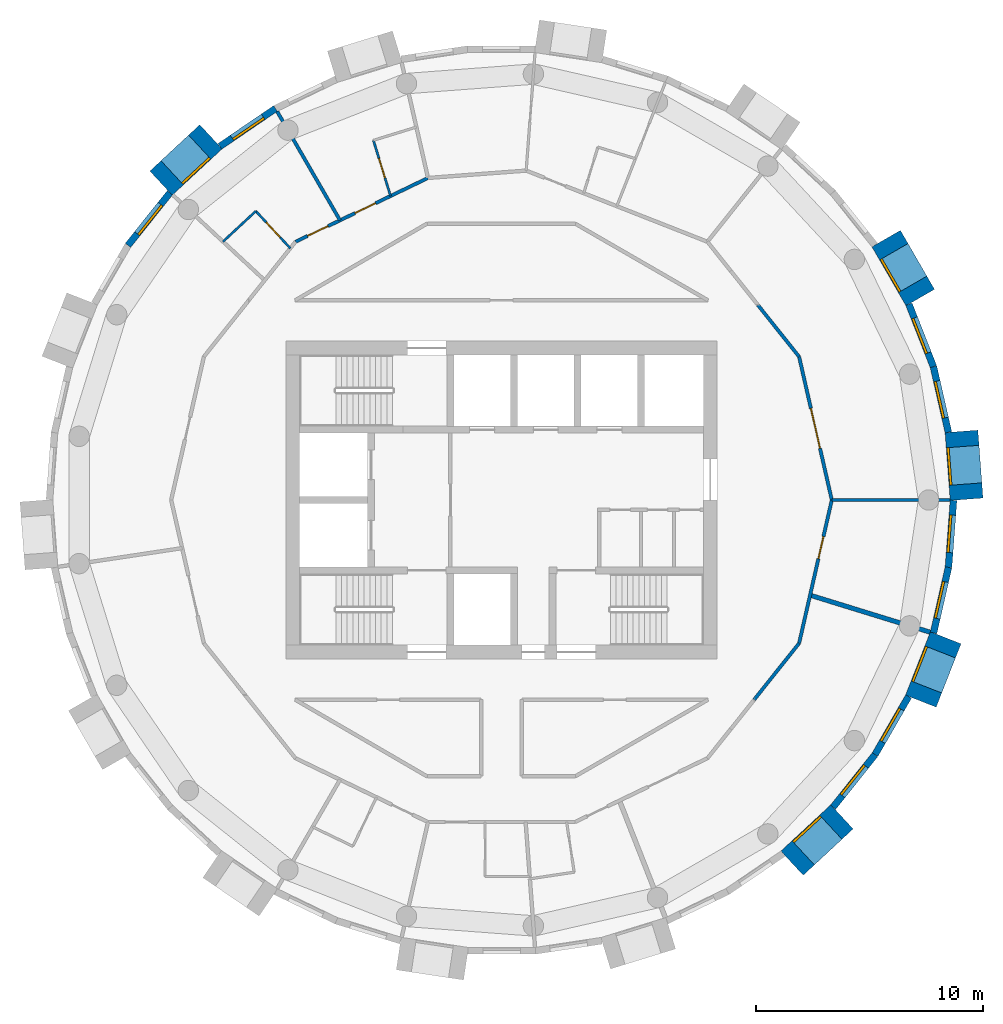
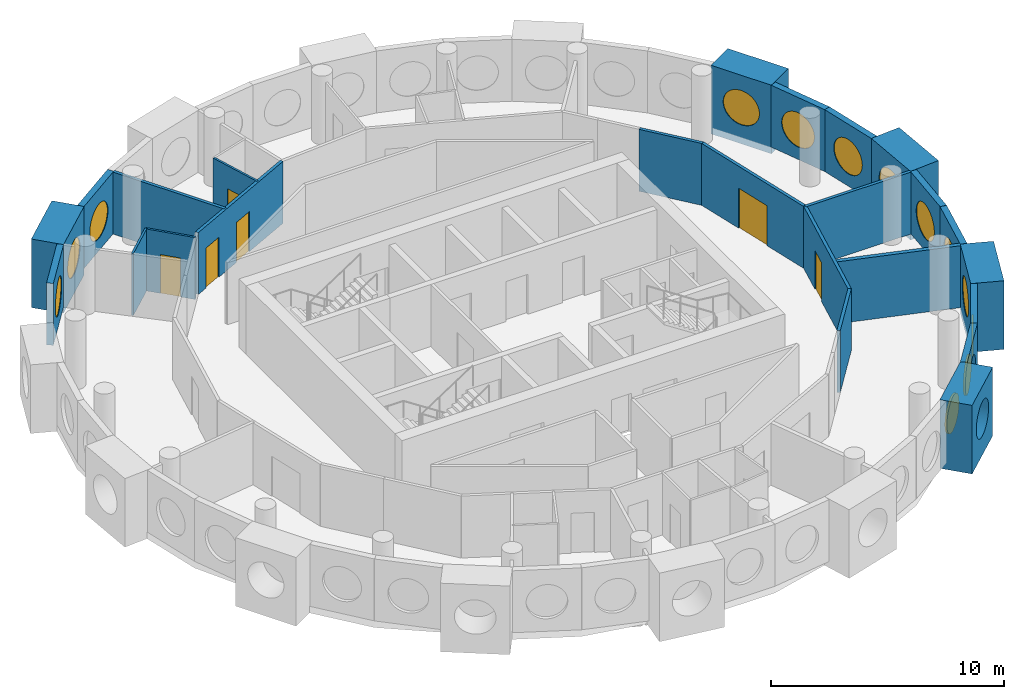
# One storey, part 10 of 13: 24 walls, 13 windows, 6 doors, 19 openings.
"""IFC4 building model written with IfcOpenShell, lengths in metres."""

from ifc_helpers import new_model, si_unit, direction, frame, frame_2d, origin, origin_2d, place, context, subcontext, project, spatial, rectangle, circle, extrude, material, layer, layer_set, type_object, element, fill, save


model = new_model("IFC4")

# Units and contexts
model_context = context("Model", 3, precision=1e-05, world=origin(), true_north=direction((0.0, 1.0)))
body_context = subcontext(model_context, "Body", "Model", "MODEL_VIEW")
ifc_project = project(units=[si_unit("LENGTHUNIT", "METRE"), si_unit("AREAUNIT", "SQUARE_METRE"), si_unit("VOLUMEUNIT", "CUBIC_METRE"), si_unit("PLANEANGLEUNIT", "RADIAN"), si_unit("MASSUNIT", "GRAM", prefix="KILO")], contexts=[model_context])

# Site, building, storey
site_placement = place(None, origin())
site = spatial("IfcSite", under=ifc_project, at=site_placement, CompositionType="ELEMENT")
building_placement = place(site_placement, origin())
building = spatial("IfcBuilding", under=site, at=building_placement, Name="Tracery Tower", CompositionType="ELEMENT")
storey_placement = place(building_placement, frame((0.0, 0.0, 319.800048828125)))
storey = spatial("IfcBuildingStorey", under=building, at=storey_placement, Name="L83", CompositionType="ELEMENT", Elevation=319.800048828125)

# Wall, opening, window
ifc_material_1 = material(Name="Precast concrete C50/60", Category="concrete")
ifc_layer_1 = layer(ifc_material_1, 1.449951171875)
ifc_layer_set_1 = layer_set([ifc_layer_1], Name="Deep-set bay unit 3000 x 3600, slab edge 350")
wall_type_1 = type_object("IfcWallType", Name="Deep-set bay unit 3000 x 3600, slab edge 350", PredefinedType="ELEMENTEDWALL", material=ifc_layer_set_1)
wall_1_placement = place(storey_placement, frame((20.49609375, 0.03173828125, -0.35009765625), z_axis=(0.0, 0.0, 1.0), x_axis=(-0.074785902127, 0.997199613339, 0.0)))
wall_1 = element("IfcWall", 1, at=wall_1_placement, inside=storey, type_object=wall_type_1, Name="Deep-set bay unit 1 at L83", PredefinedType="ELEMENTEDWALL", context=body_context, shape_type="SweptSolid", body=[
    extrude(rectangle(XDim=3.0, YDim=1.449951171875, at=frame_2d((1.5, 0.0))), origin(), (0.0, 0.0, 1.0), 3.60009765625),
])
opening_1_placement = place(wall_1_placement, frame((1.5, 0.0, 1.89990234375)))
opening_1 = element("IfcOpeningElement", 2, at=opening_1_placement, cuts=wall_1, Name="Opening WN1", PredefinedType="OPENING", context=body_context, shape_type="SweptSolid", body=[
    extrude(circle(Radius=0.9000244140625, at=origin_2d()), frame((0.0, 0.73486328125, 0.0), z_axis=(0.0, -1.0, 0.0), x_axis=(1.0, 0.0, 0.0)), (0.0, 0.0, 1.0), 1.469970703125),
])
ifc_material_2 = material(Name="Aluminium frame with tinted double glazing", Category="aluminium")
window_type = type_object("IfcWindowType", Name="Round window 1800", PartitioningType="SINGLE_PANEL", PredefinedType="WINDOW", material=ifc_material_2)
window_1_placement = place(opening_1_placement, origin())
window_1 = element("IfcWindow", 3, at=window_1_placement, inside=storey, type_object=window_type, Name="Round window 1 at L83", OverallHeight=1.800048828125, OverallWidth=1.800048828125, PartitioningType="SINGLE_PANEL", PredefinedType="WINDOW", context=body_context, shape_type="SweptSolid", body=[
    extrude(circle(Radius=0.9000244140625, at=origin_2d()), frame((0.0, 0.69482421875, 0.0), z_axis=(0.0, -1.0, 0.0), x_axis=(1.0, 0.0, 0.0)), (0.0, 0.0, 1.0), 0.10009765625),
])
fill(opening_1, window_1)

wall_2_placement = place(storey_placement, frame((18.452392578125, 8.92138671875, -0.35009765625), z_axis=(0.0, 0.0, 1.0), x_axis=(-0.499990139034, 0.866031096941, 0.0)))
wall_2 = element("IfcWall", 4, at=wall_2_placement, inside=storey, type_object=wall_type_1, Name="Deep-set bay unit 4 at L83", PredefinedType="ELEMENTEDWALL", context=body_context, shape_type="SweptSolid", body=[
    extrude(rectangle(XDim=3.0, YDim=1.449951171875, at=frame_2d((1.5, 0.0))), origin(), (0.0, 0.0, 1.0), 3.60009765625),
])
opening_2_placement = place(wall_2_placement, frame((1.5, 0.0, 1.89990234375)))
opening_2 = element("IfcOpeningElement", 5, at=opening_2_placement, cuts=wall_2, Name="Opening WN1", PredefinedType="OPENING", context=body_context, shape_type="SweptSolid", body=[
    extrude(circle(Radius=0.9000244140625, at=origin_2d()), frame((0.0, 0.73486328125, 0.0), z_axis=(0.0, -1.0, 0.0), x_axis=(1.0, 0.0, 0.0)), (0.0, 0.0, 1.0), 1.469970703125),
])
window_2_placement = place(opening_2_placement, origin())
window_2 = element("IfcWindow", 6, at=window_2_placement, inside=storey, type_object=window_type, Name="Round window 4 at L83", OverallHeight=1.800048828125, OverallWidth=1.800048828125, PartitioningType="SINGLE_PANEL", PredefinedType="WINDOW", context=body_context, shape_type="SweptSolid", body=[
    extrude(circle(Radius=0.9000244140625, at=origin_2d()), frame((0.0, 0.69482421875, 0.0), z_axis=(0.0, -1.0, 0.0), x_axis=(1.0, 0.0, 0.0)), (0.0, 0.0, 1.0), 0.10009765625),
])
fill(opening_2, window_2)

wall_3_placement = place(storey_placement, frame((-12.803955078125, 16.004638671875, -0.35009765625), z_axis=(0.0, 0.0, 1.0), x_axis=(-0.733022439167, -0.680204457261, 0.0)))
wall_3 = element("IfcWall", 7, at=wall_3_placement, inside=storey, type_object=wall_type_1, Name="Deep-set bay unit 16 at L83", PredefinedType="ELEMENTEDWALL", context=body_context, shape_type="SweptSolid", body=[
    extrude(rectangle(XDim=2.999755859375, YDim=1.449951171875, at=frame_2d((1.5, 0.0))), origin(), (0.0, 0.0, 1.0), 3.60009765625),
])
opening_3_placement = place(wall_3_placement, frame((1.5, 0.0, 1.89990234375)))
opening_3 = element("IfcOpeningElement", 8, at=opening_3_placement, cuts=wall_3, Name="Opening WN1", PredefinedType="OPENING", context=body_context, shape_type="SweptSolid", body=[
    extrude(circle(Radius=0.9000244140625, at=origin_2d()), frame((0.0, 0.73486328125, 0.0), z_axis=(0.0, -1.0, 0.0), x_axis=(1.0, 0.0, 0.0)), (0.0, 0.0, 1.0), 1.469970703125),
])
window_3_placement = place(opening_3_placement, origin())
window_3 = element("IfcWindow", 9, at=window_3_placement, inside=storey, type_object=window_type, Name="Round window 16 at L83", OverallHeight=1.800048828125, OverallWidth=1.800048828125, PartitioningType="SINGLE_PANEL", PredefinedType="WINDOW", context=body_context, shape_type="SweptSolid", body=[
    extrude(circle(Radius=0.9000244140625, at=origin_2d()), frame((0.0, 0.69482421875, 0.0), z_axis=(0.0, -1.0, 0.0), x_axis=(1.0, 0.0, 0.0)), (0.0, 0.0, 1.0), 0.10009765625),
])
fill(opening_3, window_3)

wall_4_placement = place(storey_placement, frame((12.803955078125, -16.004638671875, -0.35009765625), z_axis=(0.0, 0.0, 1.0), x_axis=(0.733022439167, 0.680204457261, 0.0)))
wall_4 = element("IfcWall", 10, at=wall_4_placement, inside=storey, type_object=wall_type_1, Name="Deep-set bay unit 37 at L83", PredefinedType="ELEMENTEDWALL", context=body_context, shape_type="SweptSolid", body=[
    extrude(rectangle(XDim=2.999755859375, YDim=1.449951171875, at=frame_2d((1.5, 0.0))), origin(), (0.0, 0.0, 1.0), 3.60009765625),
])
opening_4_placement = place(wall_4_placement, frame((1.5, 0.0, 1.89990234375)))
opening_4 = element("IfcOpeningElement", 11, at=opening_4_placement, cuts=wall_4, Name="Opening WN1", PredefinedType="OPENING", context=body_context, shape_type="SweptSolid", body=[
    extrude(circle(Radius=0.9000244140625, at=origin_2d()), frame((0.0, 0.73486328125, 0.0), z_axis=(0.0, -1.0, 0.0), x_axis=(1.0, 0.0, 0.0)), (0.0, 0.0, 1.0), 1.469970703125),
])
window_4_placement = place(opening_4_placement, origin())
window_4 = element("IfcWindow", 12, at=window_4_placement, inside=storey, type_object=window_type, Name="Round window 37 at L83", OverallHeight=1.800048828125, OverallWidth=1.800048828125, PartitioningType="SINGLE_PANEL", PredefinedType="WINDOW", context=body_context, shape_type="SweptSolid", body=[
    extrude(circle(Radius=0.9000244140625, at=origin_2d()), frame((0.0, 0.69482421875, 0.0), z_axis=(0.0, -1.0, 0.0), x_axis=(1.0, 0.0, 0.0)), (0.0, 0.0, 1.0), 0.10009765625),
])
fill(opening_4, window_4)

wall_5_placement = place(storey_placement, frame((18.47998046875, -8.8642578125, -0.35009765625), z_axis=(0.0, 0.0, 1.0), x_axis=(0.36537792632, 0.93085926485, 0.0)))
wall_5 = element("IfcWall", 13, at=wall_5_placement, inside=storey, type_object=wall_type_1, Name="Deep-set bay unit 40 at L83", PredefinedType="ELEMENTEDWALL", context=body_context, shape_type="SweptSolid", body=[
    extrude(rectangle(XDim=3.000244140625, YDim=1.449951171875, at=frame_2d((1.5, 0.0))), origin(), (0.0, 0.0, 1.0), 3.60009765625),
])
opening_5_placement = place(wall_5_placement, frame((1.5, 0.0, 1.89990234375)))
opening_5 = element("IfcOpeningElement", 14, at=opening_5_placement, cuts=wall_5, Name="Opening WN1", PredefinedType="OPENING", context=body_context, shape_type="SweptSolid", body=[
    extrude(circle(Radius=0.9000244140625, at=origin_2d()), frame((0.0, 0.73486328125, 0.0), z_axis=(0.0, -1.0, 0.0), x_axis=(1.0, 0.0, 0.0)), (0.0, 0.0, 1.0), 1.469970703125),
])
window_5_placement = place(opening_5_placement, origin())
window_5 = element("IfcWindow", 15, at=window_5_placement, inside=storey, type_object=window_type, Name="Round window 40 at L83", OverallHeight=1.800048828125, OverallWidth=1.800048828125, PartitioningType="SINGLE_PANEL", PredefinedType="WINDOW", context=body_context, shape_type="SweptSolid", body=[
    extrude(circle(Radius=0.9000244140625, at=origin_2d()), frame((0.0, 0.69482421875, 0.0), z_axis=(0.0, -1.0, 0.0), x_axis=(1.0, 0.0, 0.0)), (0.0, 0.0, 1.0), 0.10009765625),
])
fill(opening_5, window_5)

ifc_material_3 = material(Name="Precast concrete C50/60", Category="concrete")
ifc_layer_2 = layer(ifc_material_3, 0.300048828125)
ifc_layer_set_2 = layer_set([ifc_layer_2], Name="Facade panel 3000 x 3250")
wall_type_2 = type_object("IfcWallType", Name="Facade panel 3000 x 3250", PredefinedType="SOLIDWALL", material=ifc_layer_set_2)
wall_6_placement = place(storey_placement, frame((19.69580078125, 2.984130859375, 0.0), z_axis=(0.0, 0.0, 1.0), x_axis=(-0.222529389789, 0.974925982155, 0.0)))
wall_6 = element("IfcWall", 16, at=wall_6_placement, inside=storey, type_object=wall_type_2, Name="Facade panel 2 at L83", PredefinedType="SOLIDWALL", context=body_context, shape_type="SweptSolid", body=[
    extrude(rectangle(XDim=2.962158203125, YDim=0.300048828125, at=frame_2d((1.48095703125, 0.0))), origin(), (0.0, 0.0, 1.0), 3.25),
])
opening_6_placement = place(wall_6_placement, frame((1.48095703125, 0.0, 1.5498046875)))
opening_6 = element("IfcOpeningElement", 17, at=opening_6_placement, cuts=wall_6, Name="Opening WN1", PredefinedType="OPENING", context=body_context, shape_type="SweptSolid", body=[
    extrude(circle(Radius=0.9000244140625, at=origin_2d()), frame((0.0, 0.159912109375, 0.0), z_axis=(0.0, -1.0, 0.0), x_axis=(1.0, 0.0, 0.0)), (0.0, 0.0, 1.0), 0.320068359375),
])
window_6_placement = place(opening_6_placement, origin())
window_6 = element("IfcWindow", 18, at=window_6_placement, inside=storey, type_object=window_type, Name="Round window 2 at L83", OverallHeight=1.800048828125, OverallWidth=1.800048828125, PartitioningType="SINGLE_PANEL", PredefinedType="WINDOW", context=body_context, shape_type="SweptSolid", body=[
    extrude(circle(Radius=0.9000244140625, at=origin_2d()), frame((0.0, 0.1201171875, 0.0), z_axis=(0.0, -1.0, 0.0), x_axis=(1.0, 0.0, 0.0)), (0.0, 0.0, 1.0), 0.10009765625),
])
fill(opening_6, window_6)

wall_7_placement = place(storey_placement, frame((19.03662109375, 5.8720703125, 0.0), z_axis=(0.0, 0.0, 1.0), x_axis=(-0.36530043032, 0.930889679612, 0.0)))
wall_7 = element("IfcWall", 19, at=wall_7_placement, inside=storey, type_object=wall_type_2, Name="Facade panel 3 at L83", PredefinedType="SOLIDWALL", context=body_context, shape_type="SweptSolid", body=[
    extrude(rectangle(XDim=2.9619140625, YDim=0.300048828125, at=frame_2d((1.48095703125, 0.0))), origin(), (0.0, 0.0, 1.0), 3.25),
])
opening_7_placement = place(wall_7_placement, frame((1.48095703125, 0.0, 1.5498046875)))
opening_7 = element("IfcOpeningElement", 20, at=opening_7_placement, cuts=wall_7, Name="Opening WN1", PredefinedType="OPENING", context=body_context, shape_type="SweptSolid", body=[
    extrude(circle(Radius=0.9000244140625, at=origin_2d()), frame((0.0, 0.159912109375, 0.0), z_axis=(0.0, -1.0, 0.0), x_axis=(1.0, 0.0, 0.0)), (0.0, 0.0, 1.0), 0.320068359375),
])
window_7_placement = place(opening_7_placement, origin())
window_7 = element("IfcWindow", 21, at=window_7_placement, inside=storey, type_object=window_type, Name="Round window 3 at L83", OverallHeight=1.800048828125, OverallWidth=1.800048828125, PartitioningType="SINGLE_PANEL", PredefinedType="WINDOW", context=body_context, shape_type="SweptSolid", body=[
    extrude(circle(Radius=0.9000244140625, at=origin_2d()), frame((0.0, 0.1201171875, 0.0), z_axis=(0.0, -1.0, 0.0), x_axis=(1.0, 0.0, 0.0)), (0.0, 0.0, 1.0), 0.10009765625),
])
fill(opening_7, window_7)

wall_8_placement = place(storey_placement, frame((-9.9609375, 17.252685546875, 0.0), z_axis=(0.0, 0.0, 1.0), x_axis=(-0.826236061068, -0.563324037646, 0.0)))
wall_8 = element("IfcWall", 22, at=wall_8_placement, inside=storey, type_object=wall_type_2, Name="Facade panel 15 at L83", PredefinedType="SOLIDWALL", context=body_context, shape_type="SweptSolid", body=[
    extrude(rectangle(XDim=2.962158203125, YDim=0.300048828125, at=frame_2d((1.48095703125, 0.0))), origin(), (0.0, 0.0, 1.0), 3.25),
])
opening_8_placement = place(wall_8_placement, frame((1.48095703125, 0.0, 1.5498046875)))
opening_8 = element("IfcOpeningElement", 23, at=opening_8_placement, cuts=wall_8, Name="Opening WN1", PredefinedType="OPENING", context=body_context, shape_type="SweptSolid", body=[
    extrude(circle(Radius=0.9000244140625, at=origin_2d()), frame((0.0, 0.159912109375, 0.0), z_axis=(0.0, -1.0, 0.0), x_axis=(1.0, 0.0, 0.0)), (0.0, 0.0, 1.0), 0.320068359375),
])
window_8_placement = place(opening_8_placement, origin())
window_8 = element("IfcWindow", 24, at=window_8_placement, inside=storey, type_object=window_type, Name="Round window 15 at L83", OverallHeight=1.800048828125, OverallWidth=1.800048828125, PartitioningType="SINGLE_PANEL", PredefinedType="WINDOW", context=body_context, shape_type="SweptSolid", body=[
    extrude(circle(Radius=0.9000244140625, at=origin_2d()), frame((0.0, 0.1201171875, 0.0), z_axis=(0.0, -1.0, 0.0), x_axis=(1.0, 0.0, 0.0)), (0.0, 0.0, 1.0), 0.10009765625),
])
fill(opening_8, window_8)

wall_9_placement = place(storey_placement, frame((-14.61328125, 13.538330078125, 0.0), z_axis=(0.0, 0.0, 1.0), x_axis=(-0.623498236992, -0.781824755599, 0.0)))
wall_9 = element("IfcWall", 25, at=wall_9_placement, inside=storey, type_object=wall_type_2, Name="Facade panel 17 at L83", PredefinedType="SOLIDWALL", context=body_context, shape_type="SweptSolid", body=[
    extrude(rectangle(XDim=2.962158203125, YDim=0.300048828125, at=frame_2d((1.48095703125, 0.0))), origin(), (0.0, 0.0, 1.0), 3.25),
])
opening_9_placement = place(wall_9_placement, frame((1.48095703125, 0.0, 1.5498046875)))
opening_9 = element("IfcOpeningElement", 26, at=opening_9_placement, cuts=wall_9, Name="Opening WN1", PredefinedType="OPENING", context=body_context, shape_type="SweptSolid", body=[
    extrude(circle(Radius=0.9000244140625, at=origin_2d()), frame((0.0, 0.159912109375, 0.0), z_axis=(0.0, -1.0, 0.0), x_axis=(1.0, 0.0, 0.0)), (0.0, 0.0, 1.0), 0.320068359375),
])
window_9_placement = place(opening_9_placement, origin())
window_9 = element("IfcWindow", 27, at=window_9_placement, inside=storey, type_object=window_type, Name="Round window 17 at L83", OverallHeight=1.800048828125, OverallWidth=1.800048828125, PartitioningType="SINGLE_PANEL", PredefinedType="WINDOW", context=body_context, shape_type="SweptSolid", body=[
    extrude(circle(Radius=0.9000244140625, at=origin_2d()), frame((0.0, 0.1201171875, 0.0), z_axis=(0.0, -1.0, 0.0), x_axis=(1.0, 0.0, 0.0)), (0.0, 0.0, 1.0), 0.10009765625),
])
fill(opening_9, window_9)

wall_10_placement = place(storey_placement, frame((14.61328125, -13.538330078125, 0.0), z_axis=(0.0, 0.0, 1.0), x_axis=(0.623498236992, 0.781824755599, 0.0)))
wall_10 = element("IfcWall", 28, at=wall_10_placement, inside=storey, type_object=wall_type_2, Name="Facade panel 38 at L83", PredefinedType="SOLIDWALL", context=body_context, shape_type="SweptSolid", body=[
    extrude(rectangle(XDim=2.962158203125, YDim=0.300048828125, at=frame_2d((1.48095703125, 0.0))), origin(), (0.0, 0.0, 1.0), 3.25),
])
opening_10_placement = place(wall_10_placement, frame((1.48095703125, 0.0, 1.5498046875)))
opening_10 = element("IfcOpeningElement", 29, at=opening_10_placement, cuts=wall_10, Name="Opening WN1", PredefinedType="OPENING", context=body_context, shape_type="SweptSolid", body=[
    extrude(circle(Radius=0.9000244140625, at=origin_2d()), frame((0.0, 0.159912109375, 0.0), z_axis=(0.0, -1.0, 0.0), x_axis=(1.0, 0.0, 0.0)), (0.0, 0.0, 1.0), 0.320068359375),
])
window_10_placement = place(opening_10_placement, origin())
window_10 = element("IfcWindow", 30, at=window_10_placement, inside=storey, type_object=window_type, Name="Round window 38 at L83", OverallHeight=1.800048828125, OverallWidth=1.800048828125, PartitioningType="SINGLE_PANEL", PredefinedType="WINDOW", context=body_context, shape_type="SweptSolid", body=[
    extrude(circle(Radius=0.9000244140625, at=origin_2d()), frame((0.0, 0.1201171875, 0.0), z_axis=(0.0, -1.0, 0.0), x_axis=(1.0, 0.0, 0.0)), (0.0, 0.0, 1.0), 0.10009765625),
])
fill(opening_10, window_10)

wall_11_placement = place(storey_placement, frame((16.460205078125, -11.222412109375, 0.0), z_axis=(0.0, 0.0, 1.0), x_axis=(0.499950756475, 0.86605383268, 0.0)))
wall_11 = element("IfcWall", 31, at=wall_11_placement, inside=storey, type_object=wall_type_2, Name="Facade panel 39 at L83", PredefinedType="SOLIDWALL", context=body_context, shape_type="SweptSolid", body=[
    extrude(rectangle(XDim=2.962158203125, YDim=0.300048828125, at=frame_2d((1.48095703125, 0.0))), origin(), (0.0, 0.0, 1.0), 3.25),
])
opening_11_placement = place(wall_11_placement, frame((1.48095703125, 0.0, 1.5498046875)))
opening_11 = element("IfcOpeningElement", 32, at=opening_11_placement, cuts=wall_11, Name="Opening WN1", PredefinedType="OPENING", context=body_context, shape_type="SweptSolid", body=[
    extrude(circle(Radius=0.9000244140625, at=origin_2d()), frame((0.0, 0.159912109375, 0.0), z_axis=(0.0, -1.0, 0.0), x_axis=(1.0, 0.0, 0.0)), (0.0, 0.0, 1.0), 0.320068359375),
])
window_11_placement = place(opening_11_placement, origin())
window_11 = element("IfcWindow", 33, at=window_11_placement, inside=storey, type_object=window_type, Name="Round window 39 at L83", OverallHeight=1.800048828125, OverallWidth=1.800048828125, PartitioningType="SINGLE_PANEL", PredefinedType="WINDOW", context=body_context, shape_type="SweptSolid", body=[
    extrude(circle(Radius=0.9000244140625, at=origin_2d()), frame((0.0, 0.1201171875, 0.0), z_axis=(0.0, -1.0, 0.0), x_axis=(1.0, 0.0, 0.0)), (0.0, 0.0, 1.0), 0.10009765625),
])
fill(opening_11, window_11)

wall_12_placement = place(storey_placement, frame((19.0400390625, -5.857177734375, 0.0), z_axis=(0.0, 0.0, 1.0), x_axis=(0.222529389789, 0.974925982155, 0.0)))
wall_12 = element("IfcWall", 34, at=wall_12_placement, inside=storey, type_object=wall_type_2, Name="Facade panel 41 at L83", PredefinedType="SOLIDWALL", context=body_context, shape_type="SweptSolid", body=[
    extrude(rectangle(XDim=2.962158203125, YDim=0.300048828125, at=frame_2d((1.48095703125, 0.0))), origin(), (0.0, 0.0, 1.0), 3.25),
])
opening_12_placement = place(wall_12_placement, frame((1.48095703125, 0.0, 1.5498046875)))
opening_12 = element("IfcOpeningElement", 35, at=opening_12_placement, cuts=wall_12, Name="Opening WN1", PredefinedType="OPENING", context=body_context, shape_type="SweptSolid", body=[
    extrude(circle(Radius=0.9000244140625, at=origin_2d()), frame((0.0, 0.159912109375, 0.0), z_axis=(0.0, -1.0, 0.0), x_axis=(1.0, 0.0, 0.0)), (0.0, 0.0, 1.0), 0.320068359375),
])
window_12_placement = place(opening_12_placement, origin())
window_12 = element("IfcWindow", 36, at=window_12_placement, inside=storey, type_object=window_type, Name="Round window 41 at L83", OverallHeight=1.800048828125, OverallWidth=1.800048828125, PartitioningType="SINGLE_PANEL", PredefinedType="WINDOW", context=body_context, shape_type="SweptSolid", body=[
    extrude(circle(Radius=0.9000244140625, at=origin_2d()), frame((0.0, 0.1201171875, 0.0), z_axis=(0.0, -1.0, 0.0), x_axis=(1.0, 0.0, 0.0)), (0.0, 0.0, 1.0), 0.10009765625),
])
fill(opening_12, window_12)

wall_13_placement = place(storey_placement, frame((19.69921875, -2.96923828125, 0.0), z_axis=(0.0, 0.0, 1.0), x_axis=(0.07474897196, 0.997202382263, 0.0)))
wall_13 = element("IfcWall", 37, at=wall_13_placement, inside=storey, type_object=wall_type_2, Name="Facade panel 42 at L83", PredefinedType="SOLIDWALL", context=body_context, shape_type="SweptSolid", body=[
    extrude(rectangle(XDim=2.96240234375, YDim=0.300048828125, at=frame_2d((1.481201171875, 0.0))), origin(), (0.0, 0.0, 1.0), 3.25),
])
opening_13_placement = place(wall_13_placement, frame((1.48095703125, 0.0, 1.5498046875)))
opening_13 = element("IfcOpeningElement", 38, at=opening_13_placement, cuts=wall_13, Name="Opening WN1", PredefinedType="OPENING", context=body_context, shape_type="SweptSolid", body=[
    extrude(circle(Radius=0.9000244140625, at=origin_2d()), frame((0.0, 0.159912109375, 0.0), z_axis=(0.0, -1.0, 0.0), x_axis=(1.0, 0.0, 0.0)), (0.0, 0.0, 1.0), 0.320068359375),
])
window_13_placement = place(opening_13_placement, origin())
window_13 = element("IfcWindow", 39, at=window_13_placement, inside=storey, type_object=window_type, Name="Round window 42 at L83", OverallHeight=1.800048828125, OverallWidth=1.800048828125, PartitioningType="SINGLE_PANEL", PredefinedType="WINDOW", context=body_context, shape_type="SweptSolid", body=[
    extrude(circle(Radius=0.9000244140625, at=origin_2d()), frame((0.0, 0.1201171875, 0.0), z_axis=(0.0, -1.0, 0.0), x_axis=(1.0, 0.0, 0.0)), (0.0, 0.0, 1.0), 0.10009765625),
])
fill(opening_13, window_13)

# Wall, opening, door
ifc_material_4 = material(Name="Plasterboard on steel studs", Category="steel")
ifc_layer_3 = layer(ifc_material_4, 0.10009765625)
ifc_layer_set_3 = layer_set([ifc_layer_3], Name="Partition 100 wet wall")
wall_type_3 = type_object("IfcWallType", Name="Partition 100 wet wall", PredefinedType="PARTITIONING", material=ifc_layer_set_3)
wall_14_placement = place(storey_placement, frame((-5.64501953125, 15.84912109375, 0.0), z_axis=(0.0, 0.0, 1.0), x_axis=(0.294654076104, -0.955603984627, 0.0)))
wall_14 = element("IfcWall", 40, at=wall_14_placement, inside=storey, type_object=wall_type_3, Name="Wet wall RC9-052", PredefinedType="PARTITIONING", context=body_context, shape_type="SweptSolid", body=[
    extrude(rectangle(XDim=2.566162109375, YDim=0.10009765625, at=frame_2d((1.283203125, 0.0))), origin(), (0.0, 0.0, 1.0), 3.25),
])
opening_14_placement = place(wall_14_placement, frame((0.8330078125, 0.0, 0.0)))
opening_14 = element("IfcOpeningElement", 41, at=opening_14_placement, cuts=wall_14, Name="Opening RC9-09", PredefinedType="OPENING", context=body_context, shape_type="SweptSolid", body=[
    extrude(rectangle(XDim=0.89990234375, YDim=2.0400390625, at=frame_2d((0.449951171875, 1.02001953125))), frame((0.0, 0.050048828125, 0.0), z_axis=(0.0, -1.0, 0.0), x_axis=(1.0, 0.0, 0.0)), (0.0, 0.0, 1.0), 0.10009765625),
])
ifc_material_5 = material(Name="Timber door leaf", Category="wood")
door_type_1 = type_object("IfcDoorType", Name="Door en-suite 900", OperationType="NOTDEFINED", PredefinedType="DOOR", material=ifc_material_5)
door_1_placement = place(opening_14_placement, origin())
door_1 = element("IfcDoor", 42, at=door_1_placement, inside=storey, type_object=door_type_1, Name="En-suite door RC9-09", OperationType="SINGLE_SWING_RIGHT", OverallHeight=2.0400390625, OverallWidth=0.89990234375, PredefinedType="DOOR", context=body_context, shape_type="SweptSolid", body=[
    extrude(rectangle(XDim=0.89990234375, YDim=2.0400390625, at=frame_2d((0.449951171875, 1.02001953125))), frame((0.0, 0.02490234375, 0.0), z_axis=(0.0, -1.0, 0.0), x_axis=(1.0, 0.0, 0.0)), (0.0, 0.0, 1.0), 0.050048828125),
])
fill(opening_14, door_1)

wall_15_placement = place(storey_placement, frame((-10.825927734375, 12.72998046875, 0.0), z_axis=(0.0, 0.0, 1.0), x_axis=(0.680228963773, -0.732999697711, 0.0)))
wall_15 = element("IfcWall", 43, at=wall_15_placement, inside=storey, type_object=wall_type_3, Name="Wet wall RC9-054", PredefinedType="PARTITIONING", context=body_context, shape_type="SweptSolid", body=[
    extrude(rectangle(XDim=2.234619140625, YDim=0.10009765625, at=frame_2d((1.1171875, 0.0))), origin(), (0.0, 0.0, 1.0), 3.25),
])
opening_15_placement = place(wall_15_placement, frame((0.66748046875, 0.0, 0.0)))
opening_15 = element("IfcOpeningElement", 44, at=opening_15_placement, cuts=wall_15, Name="Opening RC9-11", PredefinedType="OPENING", context=body_context, shape_type="SweptSolid", body=[
    extrude(rectangle(XDim=0.89990234375, YDim=2.0400390625, at=frame_2d((0.449951171875, 1.02001953125))), frame((0.0, 0.050048828125, 0.0), z_axis=(0.0, -1.0, 0.0), x_axis=(1.0, 0.0, 0.0)), (0.0, 0.0, 1.0), 0.10009765625),
])
door_2_placement = place(opening_15_placement, origin())
door_2 = element("IfcDoor", 45, at=door_2_placement, inside=storey, type_object=door_type_1, Name="En-suite door RC9-11", OperationType="SINGLE_SWING_LEFT", OverallHeight=2.0400390625, OverallWidth=0.89990234375, PredefinedType="DOOR", context=body_context, shape_type="SweptSolid", body=[
    extrude(rectangle(XDim=0.89990234375, YDim=2.0400390625, at=frame_2d((0.449951171875, 1.02001953125))), frame((0.0, 0.02490234375, 0.0), z_axis=(0.0, -1.0, 0.0), x_axis=(1.0, 0.0, 0.0)), (0.0, 0.0, 1.0), 0.050048828125),
])
fill(opening_15, door_2)

# Walls
wall_16_placement = place(storey_placement, frame((-12.27294921875, 11.386962890625, 0.0), z_axis=(0.0, 0.0, 1.0), x_axis=(0.732956436026, 0.680275578636, 0.0)))
element("IfcWall", 46, at=wall_16_placement, inside=storey, type_object=wall_type_3, Name="Wet wall RC9-055", PredefinedType="PARTITIONING", context=body_context, shape_type="SweptSolid", body=[
    extrude(rectangle(XDim=1.97412109375, YDim=0.10009765625, at=frame_2d((0.987060546875, 0.0))), origin(), (0.0, 0.0, 1.0), 3.25),
])
ifc_material_6 = material(Name="Plasterboard on steel studs", Category="steel")
ifc_layer_4 = layer(ifc_material_6, 0.14990234375)
ifc_layer_set_4 = layer_set([ifc_layer_4], Name="Partition 150 acoustic unit wall")
wall_type_4 = type_object("IfcWallType", Name="Partition 150 acoustic unit wall", PredefinedType="PARTITIONING", material=ifc_layer_set_4)
wall_17_placement = place(storey_placement, frame((14.556884765625, 0.0, 0.0), z_axis=(0.0, 0.0, 1.0), x_axis=(1.0, 0.0, 0.0)))
element("IfcWall", 47, at=wall_17_placement, inside=storey, type_object=wall_type_4, Name="Unit wall RC9-044", PredefinedType="PARTITIONING", context=body_context, shape_type="SweptSolid", body=[
    extrude(rectangle(XDim=5.214111328125, YDim=0.14990234375, at=frame_2d((2.60693359375, 0.0))), origin(), (0.0, 0.0, 1.0), 3.25),
])
wall_18_placement = place(storey_placement, frame((-9.885986328125, 17.1220703125, 0.0), z_axis=(0.0, 0.0, 1.0), x_axis=(0.500054359786, -0.865994016873, 0.0)))
element("IfcWall", 48, at=wall_18_placement, inside=storey, type_object=wall_type_4, Name="Unit wall RC9-053", PredefinedType="PARTITIONING", context=body_context, shape_type="SweptSolid", body=[
    extrude(rectangle(XDim=5.53955078125, YDim=0.14990234375, at=frame_2d((2.769775390625, 0.0))), origin(), (0.0, 0.0, 1.0), 3.25),
])
ifc_material_7 = material(Name="Plasterboard on steel studs", Category="steel")
ifc_layer_5 = layer(ifc_material_7, 0.14990234375)
ifc_layer_set_5 = layer_set([ifc_layer_5], Name="Partition 150 corridor wall")
wall_type_5 = type_object("IfcWallType", Name="Partition 150 corridor wall", PredefinedType="PARTITIONING", material=ifc_layer_set_5)
wall_19_placement = place(storey_placement, frame((11.300048828125, 8.592041015625, 0.0), z_axis=(0.0, 0.0, 1.0), x_axis=(0.623446514299, -0.781866001185, 0.0)))
element("IfcWall", 49, at=wall_19_placement, inside=storey, type_object=wall_type_5, Name="Corridor wall RC9-020", PredefinedType="PARTITIONING", context=body_context, shape_type="SweptSolid", body=[
    extrude(rectangle(XDim=2.9111328125, YDim=0.14990234375, at=frame_2d((1.45556640625, 0.0))), origin(), (0.0, 0.0, 1.0), 3.25),
])

# Wall, opening, door
wall_20_placement = place(storey_placement, frame((13.114990234375, 6.31591796875, 0.0), z_axis=(0.0, 0.0, 1.0), x_axis=(0.222568978642, -0.97491694505, 0.0)))
wall_20 = element("IfcWall", 50, at=wall_20_placement, inside=storey, type_object=wall_type_5, Name="Corridor wall RC9-021", PredefinedType="PARTITIONING", context=body_context, shape_type="SweptSolid", body=[
    extrude(rectangle(XDim=6.478515625, YDim=0.14990234375, at=frame_2d((3.2392578125, 0.0))), origin(), (0.0, 0.0, 1.0), 3.25),
])
opening_16_placement = place(wall_20_placement, frame((2.339111328125, 0.0, 0.0)))
opening_16 = element("IfcOpeningElement", 51, at=opening_16_placement, cuts=wall_20, Name="Opening RC9-04", PredefinedType="OPENING", context=body_context, shape_type="SweptSolid", body=[
    extrude(rectangle(XDim=1.800048828125, YDim=2.10009765625, at=frame_2d((0.89990234375, 1.050048828125))), frame((0.0, 0.074951171875, 0.0), z_axis=(0.0, -1.0, 0.0), x_axis=(1.0, 0.0, 0.0)), (0.0, 0.0, 1.0), 0.14990234375),
])
ifc_material_8 = material(Name="Timber door leaf", Category="wood")
door_type_2 = type_object("IfcDoorType", Name="Door double lounge 1800", OperationType="NOTDEFINED", PredefinedType="DOOR", material=ifc_material_8)
door_3_placement = place(opening_16_placement, origin())
door_3 = element("IfcDoor", 52, at=door_3_placement, inside=storey, type_object=door_type_2, Name="Double lounge door RC9-04", OperationType="DOUBLE_DOOR_SINGLE_SWING", OverallHeight=2.10009765625, OverallWidth=1.800048828125, PredefinedType="DOOR", context=body_context, shape_type="SweptSolid", body=[
    extrude(rectangle(XDim=1.800048828125, YDim=2.10009765625, at=frame_2d((0.89990234375, 1.050048828125))), frame((0.0, 0.02490234375, 0.0), z_axis=(0.0, -1.0, 0.0), x_axis=(1.0, 0.0, 0.0)), (0.0, 0.0, 1.0), 0.050048828125),
])
fill(opening_16, door_3)

wall_21_placement = place(storey_placement, frame((13.114990234375, -6.31591796875, 0.0), z_axis=(0.0, 0.0, 1.0), x_axis=(0.222533159771, 0.974925121639, 0.0)))
wall_21 = element("IfcWall", 53, at=wall_21_placement, inside=storey, type_object=wall_type_5, Name="Corridor wall RC9-022", PredefinedType="PARTITIONING", context=body_context, shape_type="SweptSolid", body=[
    extrude(rectangle(XDim=6.478271484375, YDim=0.14990234375, at=frame_2d((3.2392578125, 0.0))), origin(), (0.0, 0.0, 1.0), 3.25),
])
opening_17_placement = place(wall_21_placement, frame((3.824462890625, 0.0, 0.0)))
opening_17 = element("IfcOpeningElement", 54, at=opening_17_placement, cuts=wall_21, Name="Opening RC9-22", PredefinedType="OPENING", context=body_context, shape_type="SweptSolid", body=[
    extrude(rectangle(XDim=1.0, YDim=2.0400390625, at=frame_2d((0.5, 1.02001953125))), frame((0.0, 0.074951171875, 0.0), z_axis=(0.0, -1.0, 0.0), x_axis=(1.0, 0.0, 0.0)), (0.0, 0.0, 1.0), 0.14990234375),
])
ifc_material_9 = material(Name="Timber door leaf", Category="wood")
door_type_3 = type_object("IfcDoorType", Name="Door communal room 1000", OperationType="NOTDEFINED", PredefinedType="DOOR", material=ifc_material_9)
door_4_placement = place(opening_17_placement, origin())
door_4 = element("IfcDoor", 55, at=door_4_placement, inside=storey, type_object=door_type_3, Name="Communal room door RC9-22", OperationType="SINGLE_SWING_RIGHT", OverallHeight=2.0400390625, OverallWidth=1.0, PredefinedType="DOOR", context=body_context, shape_type="SweptSolid", body=[
    extrude(rectangle(XDim=1.0, YDim=2.0400390625, at=frame_2d((0.5, 1.02001953125))), frame((0.0, 0.02490234375, 0.0), z_axis=(0.0, -1.0, 0.0), x_axis=(1.0, 0.0, 0.0)), (0.0, 0.0, 1.0), 0.050048828125),
])
fill(opening_17, door_4)

# Wall
wall_22_placement = place(storey_placement, frame((11.134033203125, -8.800048828125, 0.0), z_axis=(0.0, 0.0, 1.0), x_axis=(0.623476099415, 0.781842409606, 0.0)))
element("IfcWall", 56, at=wall_22_placement, inside=storey, type_object=wall_type_5, Name="Corridor wall RC9-023", PredefinedType="PARTITIONING", context=body_context, shape_type="SweptSolid", body=[
    extrude(rectangle(XDim=3.17724609375, YDim=0.14990234375, at=frame_2d((1.588623046875, 0.0))), origin(), (0.0, 0.0, 1.0), 3.25),
])

# Wall, openings, doors
wall_23_placement = place(storey_placement, frame((-9.07568359375, 11.380615234375, 0.0), z_axis=(0.0, 0.0, 1.0), x_axis=(0.900939467372, 0.433944784657, 0.0)))
wall_23 = element("IfcWall", 57, at=wall_23_placement, inside=storey, type_object=wall_type_5, Name="Corridor wall RC9-029", PredefinedType="PARTITIONING", context=body_context, shape_type="SweptSolid", body=[
    extrude(rectangle(XDim=6.478515625, YDim=0.14990234375, at=frame_2d((3.2392578125, 0.0))), origin(), (0.0, 0.0, 1.0), 3.25),
])
opening_18_placement = place(wall_23_placement, frame((2.911865234375, 0.0, 0.0)))
opening_18 = element("IfcOpeningElement", 58, at=opening_18_placement, cuts=wall_23, Name="Opening RC9-10", PredefinedType="OPENING", context=body_context, shape_type="SweptSolid", body=[
    extrude(rectangle(XDim=1.0, YDim=2.10009765625, at=frame_2d((0.5, 1.050048828125))), frame((0.0, 0.074951171875, 0.0), z_axis=(0.0, -1.0, 0.0), x_axis=(1.0, 0.0, 0.0)), (0.0, 0.0, 1.0), 0.14990234375),
])
opening_19_placement = place(wall_23_placement, frame((0.590087890625, 0.0, 0.0)))
opening_19 = element("IfcOpeningElement", 59, at=opening_19_placement, cuts=wall_23, Name="Opening RC9-12", PredefinedType="OPENING", context=body_context, shape_type="SweptSolid", body=[
    extrude(rectangle(XDim=1.0, YDim=2.10009765625, at=frame_2d((0.5, 1.050048828125))), frame((0.0, 0.074951171875, 0.0), z_axis=(0.0, -1.0, 0.0), x_axis=(1.0, 0.0, 0.0)), (0.0, 0.0, 1.0), 0.14990234375),
])
ifc_material_10 = material(Name="Timber door leaf", Category="wood")
door_type_4 = type_object("IfcDoorType", Name="Door unit entrance 1000", OperationType="NOTDEFINED", PredefinedType="DOOR", material=ifc_material_10)
door_5_placement = place(opening_18_placement, origin())
door_5 = element("IfcDoor", 60, at=door_5_placement, inside=storey, type_object=door_type_4, Name="Unit entrance door RC9-10", OperationType="SINGLE_SWING_RIGHT", OverallHeight=2.10009765625, OverallWidth=1.0, PredefinedType="DOOR", context=body_context, shape_type="SweptSolid", body=[
    extrude(rectangle(XDim=1.0, YDim=2.10009765625, at=frame_2d((0.5, 1.050048828125))), frame((0.0, 0.02490234375, 0.0), z_axis=(0.0, -1.0, 0.0), x_axis=(1.0, 0.0, 0.0)), (0.0, 0.0, 1.0), 0.050048828125),
])
fill(opening_18, door_5)
door_6_placement = place(opening_19_placement, origin())
door_6 = element("IfcDoor", 61, at=door_6_placement, inside=storey, type_object=door_type_4, Name="Unit entrance door RC9-12", OperationType="SINGLE_SWING_RIGHT", OverallHeight=2.10009765625, OverallWidth=1.0, PredefinedType="DOOR", context=body_context, shape_type="SweptSolid", body=[
    extrude(rectangle(XDim=1.0, YDim=2.10009765625, at=frame_2d((0.5, 1.050048828125))), frame((0.0, 0.02490234375, 0.0), z_axis=(0.0, -1.0, 0.0), x_axis=(1.0, 0.0, 0.0)), (0.0, 0.0, 1.0), 0.050048828125),
])
fill(opening_19, door_6)

# Wall
ifc_material_11 = material(Name="Plasterboard on steel studs", Category="steel")
ifc_layer_6 = layer(ifc_material_11, 0.199951171875)
ifc_layer_set_6 = layer_set([ifc_layer_6], Name="Partition 200 compartment wall")
wall_type_6 = type_object("IfcWallType", Name="Partition 200 compartment wall", PredefinedType="PARTITIONING", material=ifc_layer_set_6)
wall_24_placement = place(storey_placement, frame((13.59912109375, -4.195068359375, 0.0), z_axis=(0.0, 0.0, 1.0), x_axis=(0.955580602693, -0.294729896274, 0.0)))
element("IfcWall", 62, at=wall_24_placement, inside=storey, type_object=wall_type_6, Name="Compartment wall RC9-069", PredefinedType="PARTITIONING", context=body_context, shape_type="SweptSolid", body=[
    extrude(rectangle(XDim=5.5400390625, YDim=0.199951171875, at=frame_2d((2.77001953125, 0.0))), origin(), (0.0, 0.0, 1.0), 3.25),
])

save(model, "model.ifc")
